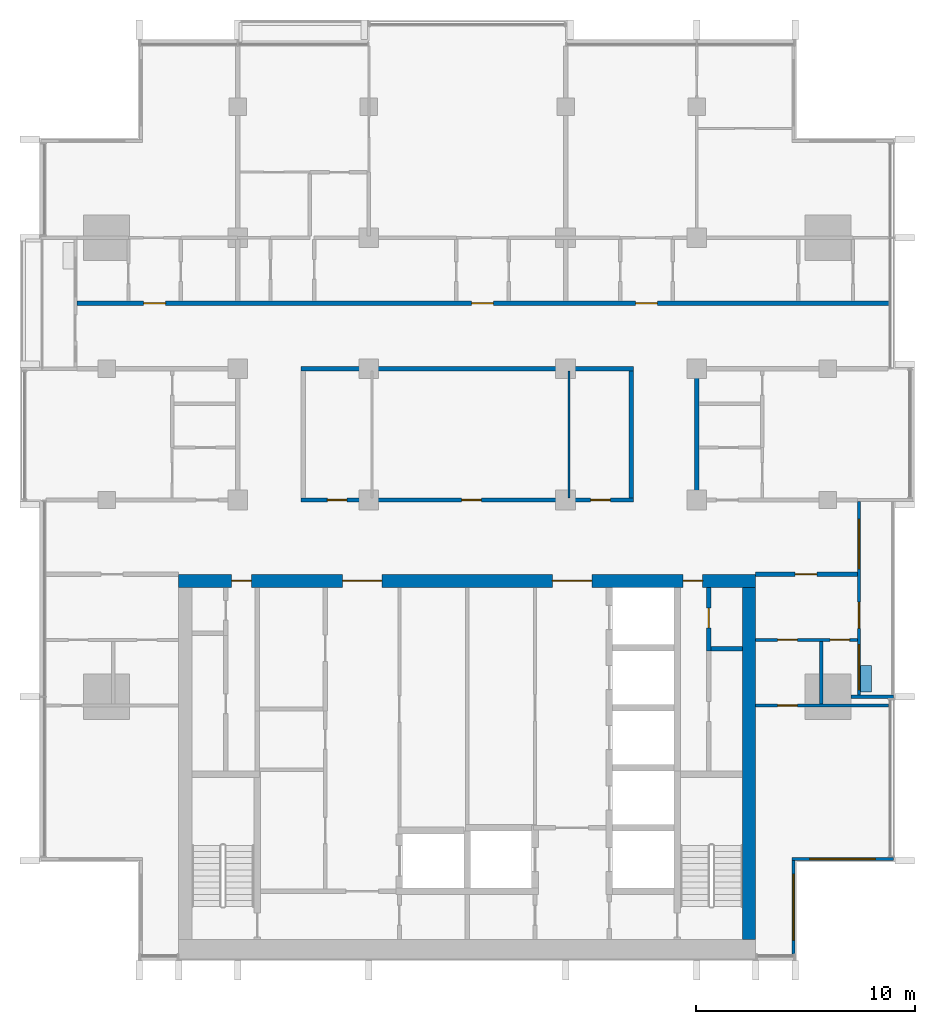
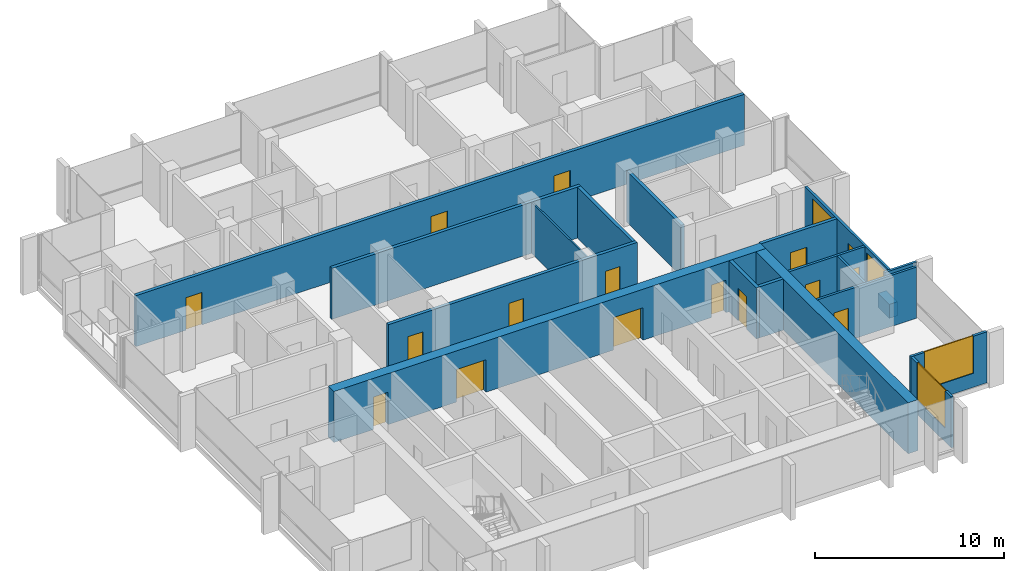
# One storey, part 9 of 16: 19 walls, 16 doors, 4 windows, 20 openings.
"""IFC4 building model written with IfcOpenShell, lengths in metres."""

from ifc_helpers import new_model, si_unit, direction, frame, frame_2d, origin, place, context, subcontext, project, spatial, rectangle, extrude, material, layer, layer_set, type_object, element, fill, save


model = new_model("IFC4")

# Units and contexts
model_context = context("Model", 3, precision=1e-05, world=origin(), true_north=direction((0.0, 1.0)))
body_context = subcontext(model_context, "Body", "Model", "MODEL_VIEW")
ifc_project = project(units=[si_unit("LENGTHUNIT", "METRE"), si_unit("AREAUNIT", "SQUARE_METRE"), si_unit("VOLUMEUNIT", "CUBIC_METRE"), si_unit("PLANEANGLEUNIT", "RADIAN"), si_unit("MASSUNIT", "GRAM", prefix="KILO")], contexts=[model_context])

# Site, building, storey
site_placement = place(None, origin())
site = spatial("IfcSite", under=ifc_project, at=site_placement, CompositionType="ELEMENT")
building_placement = place(site_placement, origin())
building = spatial("IfcBuilding", under=site, at=building_placement, Name="Finial Court Residences", CompositionType="ELEMENT")
storey_placement = place(building_placement, frame((0.0, 0.0, 223.10009765625)))
storey = spatial("IfcBuildingStorey", under=building, at=storey_placement, Name="L56", CompositionType="ELEMENT", Elevation=223.10009765625)

# Wall, openings, doors
ifc_material_1 = material(Name="Concrete C60/75", Category="concrete")
ifc_layer_1 = layer(ifc_material_1, 0.60009765625)
ifc_layer_set_1 = layer_set([ifc_layer_1], Name="Core outer wall 600 Concrete C60/75")
wall_type_1 = type_object("IfcWallType", Name="Core outer wall 600 Concrete C60/75", PredefinedType="SHEAR", material=ifc_layer_set_1)
wall_1_placement = place(storey_placement, frame((-13.199951171875, -8.199951171875, 0.0), z_axis=(0.0, 0.0, 1.0), x_axis=(1.0, 0.0, 0.0)))
wall_1 = element("IfcWall", 1, at=wall_1_placement, inside=storey, type_object=wall_type_1, Name="Core outer wall L56-02", PredefinedType="SHEAR", context=body_context, shape_type="SweptSolid", body=[
    extrude(rectangle(XDim=26.39990234375, YDim=0.60009765625, at=frame_2d((13.199951171875, 0.0))), origin(), (0.0, 0.0, 1.0), 3.2998046875),
])
opening_1_placement = place(wall_1_placement, frame((7.5, 0.0, 0.0)))
opening_1 = element("IfcOpeningElement", 2, at=opening_1_placement, cuts=wall_1, Name="Opening L56-C04", PredefinedType="OPENING", context=body_context, shape_type="SweptSolid", body=[
    extrude(rectangle(XDim=1.800048828125, YDim=2.10009765625, at=frame_2d((0.89990234375, 1.050048828125))), frame((0.0, 0.31005859375, 0.0), z_axis=(0.0, -1.0, 0.0), x_axis=(1.0, 0.0, 0.0)), (0.0, 0.0, 1.0), 0.6201171875),
])
opening_2_placement = place(wall_1_placement, frame((17.10009765625, 0.0, 0.0)))
opening_2 = element("IfcOpeningElement", 3, at=opening_2_placement, cuts=wall_1, Name="Opening L56-C05", PredefinedType="OPENING", context=body_context, shape_type="SweptSolid", body=[
    extrude(rectangle(XDim=1.800048828125, YDim=2.10009765625, at=frame_2d((0.89990234375, 1.050048828125))), frame((0.0, 0.31005859375, 0.0), z_axis=(0.0, -1.0, 0.0), x_axis=(1.0, 0.0, 0.0)), (0.0, 0.0, 1.0), 0.6201171875),
])
opening_3_placement = place(wall_1_placement, frame((2.425048828125, 0.0, 0.0)))
opening_3 = element("IfcOpeningElement", 4, at=opening_3_placement, cuts=wall_1, Name="Opening L56-C10", PredefinedType="OPENING", context=body_context, shape_type="SweptSolid", body=[
    extrude(rectangle(XDim=0.89990234375, YDim=2.10009765625, at=frame_2d((0.449951171875, 1.050048828125))), frame((0.0, 0.31005859375, 0.0), z_axis=(0.0, -1.0, 0.0), x_axis=(1.0, 0.0, 0.0)), (0.0, 0.0, 1.0), 0.6201171875),
])
opening_4_placement = place(wall_1_placement, frame((23.074951171875, 0.0, 0.0)))
opening_4 = element("IfcOpeningElement", 5, at=opening_4_placement, cuts=wall_1, Name="Opening L56-C11", PredefinedType="OPENING", context=body_context, shape_type="SweptSolid", body=[
    extrude(rectangle(XDim=0.89990234375, YDim=2.10009765625, at=frame_2d((0.449951171875, 1.050048828125))), frame((0.0, 0.31005859375, 0.0), z_axis=(0.0, -1.0, 0.0), x_axis=(1.0, 0.0, 0.0)), (0.0, 0.0, 1.0), 0.6201171875),
])
ifc_material_2 = material(Name="Steel fire door", Category="steel")
door_type_1 = type_object("IfcDoorType", Name="Lift lobby door 1800 x 2100 EI 60", OperationType="DOUBLE_DOOR_SINGLE_SWING", PredefinedType="DOOR", material=ifc_material_2)
door_1_placement = place(opening_1_placement, origin())
door_1 = element("IfcDoor", 6, at=door_1_placement, inside=storey, type_object=door_type_1, Name="Lift lobby door L56-C04", OperationType="DOUBLE_DOOR_SINGLE_SWING", OverallHeight=2.10009765625, OverallWidth=1.800048828125, PredefinedType="DOOR", context=body_context, shape_type="SweptSolid", body=[
    extrude(rectangle(XDim=1.800048828125, YDim=2.10009765625, at=frame_2d((0.89990234375, 1.050048828125))), frame((0.0, 0.02490234375, 0.0), z_axis=(0.0, -1.0, 0.0), x_axis=(1.0, 0.0, 0.0)), (0.0, 0.0, 1.0), 0.050048828125),
])
fill(opening_1, door_1)
door_2_placement = place(opening_2_placement, origin())
door_2 = element("IfcDoor", 7, at=door_2_placement, inside=storey, type_object=door_type_1, Name="Lift lobby door L56-C05", OperationType="DOUBLE_DOOR_SINGLE_SWING", OverallHeight=2.10009765625, OverallWidth=1.800048828125, PredefinedType="DOOR", context=body_context, shape_type="SweptSolid", body=[
    extrude(rectangle(XDim=1.800048828125, YDim=2.10009765625, at=frame_2d((0.89990234375, 1.050048828125))), frame((0.0, 0.02490234375, 0.0), z_axis=(0.0, -1.0, 0.0), x_axis=(1.0, 0.0, 0.0)), (0.0, 0.0, 1.0), 0.050048828125),
])
fill(opening_2, door_2)
door_type_2 = type_object("IfcDoorType", Name="Riser room door 900 x 2100 EI 90", OperationType="NOTDEFINED", PredefinedType="DOOR", material=ifc_material_2)
door_3_placement = place(opening_3_placement, origin())
door_3 = element("IfcDoor", 8, at=door_3_placement, inside=storey, type_object=door_type_2, Name="Riser room door L56-C10", OperationType="SINGLE_SWING_RIGHT", OverallHeight=2.10009765625, OverallWidth=0.89990234375, PredefinedType="DOOR", context=body_context, shape_type="SweptSolid", body=[
    extrude(rectangle(XDim=0.89990234375, YDim=2.10009765625, at=frame_2d((0.449951171875, 1.050048828125))), frame((0.0, 0.02490234375, 0.0), z_axis=(0.0, -1.0, 0.0), x_axis=(1.0, 0.0, 0.0)), (0.0, 0.0, 1.0), 0.050048828125),
])
fill(opening_3, door_3)
door_4_placement = place(opening_4_placement, origin())
door_4 = element("IfcDoor", 9, at=door_4_placement, inside=storey, type_object=door_type_2, Name="Riser room door L56-C11", OperationType="SINGLE_SWING_LEFT", OverallHeight=2.10009765625, OverallWidth=0.89990234375, PredefinedType="DOOR", context=body_context, shape_type="SweptSolid", body=[
    extrude(rectangle(XDim=0.89990234375, YDim=2.10009765625, at=frame_2d((0.449951171875, 1.050048828125))), frame((0.0, 0.02490234375, 0.0), z_axis=(0.0, -1.0, 0.0), x_axis=(1.0, 0.0, 0.0)), (0.0, 0.0, 1.0), 0.050048828125),
])
fill(opening_4, door_4)

# Wall
wall_2_placement = place(storey_placement, frame((12.89990234375, -24.60009765625, 0.0), z_axis=(0.0, 0.0, 1.0), x_axis=(0.0, 1.0, 0.0)))
element("IfcWall", 10, at=wall_2_placement, inside=storey, type_object=wall_type_1, Name="Core outer wall L56-04", PredefinedType="SHEAR", context=body_context, shape_type="SweptSolid", body=[
    extrude(rectangle(XDim=16.10009765625, YDim=0.60009765625, at=frame_2d((8.050048828125, 0.0))), origin(), (0.0, 0.0, 1.0), 3.2998046875),
])

# Wall, opening, door
ifc_material_3 = material(Name="Gypsum board")
ifc_layer_2 = layer(ifc_material_3, 0.02490234375)
ifc_material_4 = material(Name="Acoustic mineral wool in double frame")
ifc_layer_3 = layer(ifc_material_4, 0.14990234375)
ifc_layer_4 = layer(ifc_material_3, 0.02490234375)
ifc_layer_set_2 = layer_set([ifc_layer_2, ifc_layer_3, ifc_layer_4], Name="Corridor wall 200, 1 hour")
wall_type_2 = type_object("IfcWallType", Name="Corridor wall 200, 1 hour", PredefinedType="PARTITIONING", material=ifc_layer_set_2)
wall_3_placement = place(storey_placement, frame((13.199951171875, -7.89990234375, 0.0), z_axis=(0.0, 0.0, 1.0), x_axis=(1.0, 0.0, 0.0)))
wall_3 = element("IfcWall", 11, at=wall_3_placement, inside=storey, type_object=wall_type_2, Name="Partition L56-005", PredefinedType="PARTITIONING", context=body_context, shape_type="SweptSolid", body=[
    extrude(rectangle(XDim=4.650146484375, YDim=0.199951171875, at=frame_2d((2.3251953125, 0.0))), origin(), (0.0, 0.0, 1.0), 3.2998046875),
])
opening_5_placement = place(wall_3_placement, frame((1.800048828125, 0.0, 0.0)))
opening_5 = element("IfcOpeningElement", 12, at=opening_5_placement, cuts=wall_3, Name="Opening L56-D008", PredefinedType="OPENING", context=body_context, shape_type="SweptSolid", body=[
    extrude(rectangle(XDim=1.0, YDim=2.10009765625, at=frame_2d((0.5, 1.050048828125))), frame((0.0, 0.10986328125, 0.0), z_axis=(0.0, -1.0, 0.0), x_axis=(1.0, 0.0, 0.0)), (0.0, 0.0, 1.0), 0.219970703125),
])
ifc_material_5 = material(Name="Timber door leaf in hollow metal frame", Category="wood")
door_type_3 = type_object("IfcDoorType", Name="Fire door set 1000 x 2100, 30 minutes", OperationType="SINGLE_SWING_LEFT", PredefinedType="DOOR", material=ifc_material_5)
door_5_placement = place(opening_5_placement, origin())
door_5 = element("IfcDoor", 13, at=door_5_placement, inside=storey, type_object=door_type_3, Name="Door L56-D008", OperationType="SINGLE_SWING_RIGHT", OverallHeight=2.10009765625, OverallWidth=1.0, PredefinedType="DOOR", context=body_context, shape_type="SweptSolid", body=[
    extrude(rectangle(XDim=1.0, YDim=2.10009765625, at=frame_2d((0.5, 1.050048828125))), frame((0.0, 0.02490234375, 0.0), z_axis=(0.0, -1.0, 0.0), x_axis=(1.0, 0.0, 0.0)), (0.0, 0.0, 1.0), 0.050048828125),
])
fill(opening_5, door_5)

# Wall, openings, doors
wall_4_placement = place(storey_placement, frame((-7.60009765625, -4.5, 0.0), z_axis=(0.0, 0.0, 1.0), x_axis=(1.0, 0.0, 0.0)))
wall_4 = element("IfcWall", 14, at=wall_4_placement, inside=storey, type_object=wall_type_2, Name="Partition L56-007", PredefinedType="PARTITIONING", context=body_context, shape_type="SweptSolid", body=[
    extrude(rectangle(XDim=15.2001953125, YDim=0.199951171875, at=frame_2d((7.60009765625, 0.0))), origin(), (0.0, 0.0, 1.0), 3.2998046875),
])
opening_6_placement = place(wall_4_placement, frame((1.199951171875, 0.0, 0.0)))
opening_6 = element("IfcOpeningElement", 15, at=opening_6_placement, cuts=wall_4, Name="Opening L56-D010", PredefinedType="OPENING", context=body_context, shape_type="SweptSolid", body=[
    extrude(rectangle(XDim=0.89990234375, YDim=2.10009765625, at=frame_2d((0.449951171875, 1.050048828125))), frame((0.0, 0.10986328125, 0.0), z_axis=(0.0, -1.0, 0.0), x_axis=(1.0, 0.0, 0.0)), (0.0, 0.0, 1.0), 0.219970703125),
])
opening_7_placement = place(wall_4_placement, frame((7.35009765625, 0.0, 0.0)))
opening_7 = element("IfcOpeningElement", 16, at=opening_7_placement, cuts=wall_4, Name="Opening L56-D011", PredefinedType="OPENING", context=body_context, shape_type="SweptSolid", body=[
    extrude(rectangle(XDim=0.89990234375, YDim=2.10009765625, at=frame_2d((0.449951171875, 1.050048828125))), frame((0.0, 0.10986328125, 0.0), z_axis=(0.0, -1.0, 0.0), x_axis=(1.0, 0.0, 0.0)), (0.0, 0.0, 1.0), 0.219970703125),
])
opening_8_placement = place(wall_4_placement, frame((13.25, 0.0, 0.0)))
opening_8 = element("IfcOpeningElement", 17, at=opening_8_placement, cuts=wall_4, Name="Opening L56-D012", PredefinedType="OPENING", context=body_context, shape_type="SweptSolid", body=[
    extrude(rectangle(XDim=0.89990234375, YDim=2.10009765625, at=frame_2d((0.449951171875, 1.050048828125))), frame((0.0, 0.10986328125, 0.0), z_axis=(0.0, -1.0, 0.0), x_axis=(1.0, 0.0, 0.0)), (0.0, 0.0, 1.0), 0.219970703125),
])
door_type_4 = type_object("IfcDoorType", Name="Fire door set 900 x 2100, 30 minutes", OperationType="SINGLE_SWING_LEFT", PredefinedType="DOOR", material=ifc_material_5)
door_6_placement = place(opening_6_placement, origin())
door_6 = element("IfcDoor", 18, at=door_6_placement, inside=storey, type_object=door_type_4, Name="Door L56-D010", OperationType="SINGLE_SWING_RIGHT", OverallHeight=2.10009765625, OverallWidth=0.89990234375, PredefinedType="DOOR", context=body_context, shape_type="SweptSolid", body=[
    extrude(rectangle(XDim=0.89990234375, YDim=2.10009765625, at=frame_2d((0.449951171875, 1.050048828125))), frame((0.0, 0.02490234375, 0.0), z_axis=(0.0, -1.0, 0.0), x_axis=(1.0, 0.0, 0.0)), (0.0, 0.0, 1.0), 0.050048828125),
])
fill(opening_6, door_6)
door_7_placement = place(opening_7_placement, origin())
door_7 = element("IfcDoor", 19, at=door_7_placement, inside=storey, type_object=door_type_4, Name="Door L56-D011", OperationType="SINGLE_SWING_LEFT", OverallHeight=2.10009765625, OverallWidth=0.89990234375, PredefinedType="DOOR", context=body_context, shape_type="SweptSolid", body=[
    extrude(rectangle(XDim=0.89990234375, YDim=2.10009765625, at=frame_2d((0.449951171875, 1.050048828125))), frame((0.0, 0.02490234375, 0.0), z_axis=(0.0, -1.0, 0.0), x_axis=(1.0, 0.0, 0.0)), (0.0, 0.0, 1.0), 0.050048828125),
])
fill(opening_7, door_7)
door_8_placement = place(opening_8_placement, origin())
door_8 = element("IfcDoor", 20, at=door_8_placement, inside=storey, type_object=door_type_4, Name="Door L56-D012", OperationType="SINGLE_SWING_LEFT", OverallHeight=2.10009765625, OverallWidth=0.89990234375, PredefinedType="DOOR", context=body_context, shape_type="SweptSolid", body=[
    extrude(rectangle(XDim=0.89990234375, YDim=2.10009765625, at=frame_2d((0.449951171875, 1.050048828125))), frame((0.0, 0.02490234375, 0.0), z_axis=(0.0, -1.0, 0.0), x_axis=(1.0, 0.0, 0.0)), (0.0, 0.0, 1.0), 0.050048828125),
])
fill(opening_8, door_8)

# Wall
wall_5_placement = place(storey_placement, frame((-7.60009765625, 1.5, 0.0), z_axis=(0.0, 0.0, 1.0), x_axis=(1.0, 0.0, 0.0)))
element("IfcWall", 21, at=wall_5_placement, inside=storey, type_object=wall_type_2, Name="Partition L56-014", PredefinedType="PARTITIONING", context=body_context, shape_type="SweptSolid", body=[
    extrude(rectangle(XDim=15.2001953125, YDim=0.199951171875, at=frame_2d((7.60009765625, 0.0))), origin(), (0.0, 0.0, 1.0), 3.2998046875),
])

# Wall, openings, doors
wall_6_placement = place(storey_placement, frame((-17.85009765625, 4.5, 0.0), z_axis=(0.0, 0.0, 1.0), x_axis=(1.0, 0.0, 0.0)))
wall_6 = element("IfcWall", 22, at=wall_6_placement, inside=storey, type_object=wall_type_2, Name="Partition L56-016", PredefinedType="PARTITIONING", context=body_context, shape_type="SweptSolid", body=[
    extrude(rectangle(XDim=37.2001953125, YDim=0.199951171875, at=frame_2d((18.60009765625, 0.0))), origin(), (0.0, 0.0, 1.0), 3.2998046875),
])
opening_9_placement = place(wall_6_placement, frame((3.050048828125, 0.0, 0.0)))
opening_9 = element("IfcOpeningElement", 23, at=opening_9_placement, cuts=wall_6, Name="Opening L56-D016", PredefinedType="OPENING", context=body_context, shape_type="SweptSolid", body=[
    extrude(rectangle(XDim=1.0, YDim=2.10009765625, at=frame_2d((0.5, 1.050048828125))), frame((0.0, 0.10986328125, 0.0), z_axis=(0.0, -1.0, 0.0), x_axis=(1.0, 0.0, 0.0)), (0.0, 0.0, 1.0), 0.219970703125),
])
opening_10_placement = place(wall_6_placement, frame((18.050048828125, 0.0, 0.0)))
opening_10 = element("IfcOpeningElement", 24, at=opening_10_placement, cuts=wall_6, Name="Opening L56-D017", PredefinedType="OPENING", context=body_context, shape_type="SweptSolid", body=[
    extrude(rectangle(XDim=1.0, YDim=2.10009765625, at=frame_2d((0.5, 1.050048828125))), frame((0.0, 0.10986328125, 0.0), z_axis=(0.0, -1.0, 0.0), x_axis=(1.0, 0.0, 0.0)), (0.0, 0.0, 1.0), 0.219970703125),
])
opening_11_placement = place(wall_6_placement, frame((25.550048828125, 0.0, 0.0)))
opening_11 = element("IfcOpeningElement", 25, at=opening_11_placement, cuts=wall_6, Name="Opening L56-D018", PredefinedType="OPENING", context=body_context, shape_type="SweptSolid", body=[
    extrude(rectangle(XDim=1.0, YDim=2.10009765625, at=frame_2d((0.5, 1.050048828125))), frame((0.0, 0.10986328125, 0.0), z_axis=(0.0, -1.0, 0.0), x_axis=(1.0, 0.0, 0.0)), (0.0, 0.0, 1.0), 0.219970703125),
])
door_9_placement = place(opening_9_placement, origin())
door_9 = element("IfcDoor", 26, at=door_9_placement, inside=storey, type_object=door_type_3, Name="Door L56-D016", OperationType="SINGLE_SWING_RIGHT", OverallHeight=2.10009765625, OverallWidth=1.0, PredefinedType="DOOR", context=body_context, shape_type="SweptSolid", body=[
    extrude(rectangle(XDim=1.0, YDim=2.10009765625, at=frame_2d((0.5, 1.050048828125))), frame((0.0, 0.02490234375, 0.0), z_axis=(0.0, -1.0, 0.0), x_axis=(1.0, 0.0, 0.0)), (0.0, 0.0, 1.0), 0.050048828125),
])
fill(opening_9, door_9)
door_10_placement = place(opening_10_placement, origin())
door_10 = element("IfcDoor", 27, at=door_10_placement, inside=storey, type_object=door_type_3, Name="Door L56-D017", OperationType="SINGLE_SWING_RIGHT", OverallHeight=2.10009765625, OverallWidth=1.0, PredefinedType="DOOR", context=body_context, shape_type="SweptSolid", body=[
    extrude(rectangle(XDim=1.0, YDim=2.10009765625, at=frame_2d((0.5, 1.050048828125))), frame((0.0, 0.02490234375, 0.0), z_axis=(0.0, -1.0, 0.0), x_axis=(1.0, 0.0, 0.0)), (0.0, 0.0, 1.0), 0.050048828125),
])
fill(opening_10, door_10)
door_11_placement = place(opening_11_placement, origin())
door_11 = element("IfcDoor", 28, at=door_11_placement, inside=storey, type_object=door_type_3, Name="Door L56-D018", OperationType="SINGLE_SWING_LEFT", OverallHeight=2.10009765625, OverallWidth=1.0, PredefinedType="DOOR", context=body_context, shape_type="SweptSolid", body=[
    extrude(rectangle(XDim=1.0, YDim=2.10009765625, at=frame_2d((0.5, 1.050048828125))), frame((0.0, 0.02490234375, 0.0), z_axis=(0.0, -1.0, 0.0), x_axis=(1.0, 0.0, 0.0)), (0.0, 0.0, 1.0), 0.050048828125),
])
fill(opening_11, door_11)

# Walls
for number, where, z_axis, x_axis, name in (
    (29, (7.5, -4.39990234375, 0.0), (0.0, 0.0, 1.0), (0.0, 1.0, 0.0), "Partition L56-052"),
    (30, (10.5, -4.39990234375, 0.0), (0.0, 0.0, 1.0), (0.0, 1.0, 0.0), "Partition L56-054"),
):
    element("IfcWall", number, at=place(storey_placement, frame(where, z_axis=z_axis, x_axis=x_axis)), inside=storey, type_object=wall_type_2, Name=name, PredefinedType="PARTITIONING", context=body_context, shape_type="SweptSolid", body=[
        extrude(rectangle(XDim=5.7998046875, YDim=0.199951171875, at=frame_2d((2.89990234375, 0.0))), origin(), (0.0, 0.0, 1.0), 3.2998046875),
    ])
ifc_layer_5 = layer(ifc_material_3, 0.012451171875)
ifc_material_6 = material(Name="Mineral wool in light-gauge frame")
ifc_layer_6 = layer(ifc_material_6, 0.074951171875)
ifc_layer_7 = layer(ifc_material_3, 0.012451171875)
ifc_layer_set_3 = layer_set([ifc_layer_5, ifc_layer_6, ifc_layer_7], Name="Gypsum board partition 100")
wall_type_3 = type_object("IfcWallType", Name="Gypsum board partition 100", PredefinedType="PARTITIONING", material=ifc_layer_set_3)
wall_7_placement = place(storey_placement, frame((4.64990234375, -4.39990234375, 0.0), z_axis=(0.0, 0.0, 1.0), x_axis=(0.0, 1.0, 0.0)))
element("IfcWall", 31, at=wall_7_placement, inside=storey, type_object=wall_type_3, Name="Partition L56-050", PredefinedType="PARTITIONING", context=body_context, shape_type="SweptSolid", body=[
    extrude(rectangle(XDim=5.7998046875, YDim=0.10009765625, at=frame_2d((2.89990234375, 0.0))), origin(), (0.0, 0.0, 1.0), 3.2998046875),
])

# Wall, opening, door
ifc_material_7 = material(Name="Moisture-resistant gypsum board")
ifc_layer_8 = layer(ifc_material_7, 0.012451171875)
ifc_layer_9 = layer(ifc_material_6, 0.125)
ifc_layer_10 = layer(ifc_material_7, 0.012451171875)
ifc_layer_set_4 = layer_set([ifc_layer_8, ifc_layer_9, ifc_layer_10], Name="Gypsum board wet-area partition 150")
wall_type_4 = type_object("IfcWallType", Name="Gypsum board wet-area partition 150", PredefinedType="PARTITIONING", material=ifc_layer_set_4)
wall_8_placement = place(storey_placement, frame((13.199951171875, -13.89990234375, 0.0), z_axis=(0.0, 0.0, 1.0), x_axis=(1.0, 0.0, 0.0)))
wall_8 = element("IfcWall", 32, at=wall_8_placement, inside=storey, type_object=wall_type_4, Name="Partition L56-001", PredefinedType="PARTITIONING", context=body_context, shape_type="SweptSolid", body=[
    extrude(rectangle(XDim=6.0625, YDim=0.14990234375, at=frame_2d((3.03125, 0.0))), origin(), (0.0, 0.0, 1.0), 3.2998046875),
])
opening_12_placement = place(wall_8_placement, frame((1.0, 0.0, 0.0)))
opening_12 = element("IfcOpeningElement", 33, at=opening_12_placement, cuts=wall_8, Name="Opening L56-D002", PredefinedType="OPENING", context=body_context, shape_type="SweptSolid", body=[
    extrude(rectangle(XDim=0.89990234375, YDim=2.10009765625, at=frame_2d((0.449951171875, 1.050048828125))), frame((0.0, 0.0849609375, 0.0), z_axis=(0.0, -1.0, 0.0), x_axis=(1.0, 0.0, 0.0)), (0.0, 0.0, 1.0), 0.169921875),
])
ifc_material_8 = material(Name="Timber door leaf in timber frame", Category="wood")
door_type_5 = type_object("IfcDoorType", Name="Door set 900 x 2100", OperationType="SINGLE_SWING_LEFT", PredefinedType="DOOR", material=ifc_material_8)
door_12_placement = place(opening_12_placement, origin())
door_12 = element("IfcDoor", 34, at=door_12_placement, inside=storey, type_object=door_type_5, Name="Door L56-D002", OperationType="SINGLE_SWING_LEFT", OverallHeight=2.10009765625, OverallWidth=0.89990234375, PredefinedType="DOOR", context=body_context, shape_type="SweptSolid", body=[
    extrude(rectangle(XDim=0.89990234375, YDim=2.10009765625, at=frame_2d((0.449951171875, 1.050048828125))), frame((0.0, 0.02490234375, 0.0), z_axis=(0.0, -1.0, 0.0), x_axis=(1.0, 0.0, 0.0)), (0.0, 0.0, 1.0), 0.050048828125),
])
fill(opening_12, door_12)

# Wall, openings, doors
wall_9_placement = place(storey_placement, frame((13.199951171875, -10.89990234375, 0.0), z_axis=(0.0, 0.0, 1.0), x_axis=(1.0, 0.0, 0.0)))
wall_9 = element("IfcWall", 35, at=wall_9_placement, inside=storey, type_object=wall_type_4, Name="Partition L56-003", PredefinedType="PARTITIONING", context=body_context, shape_type="SweptSolid", body=[
    extrude(rectangle(XDim=4.650146484375, YDim=0.14990234375, at=frame_2d((2.3251953125, 0.0))), origin(), (0.0, 0.0, 1.0), 3.2998046875),
])
opening_13_placement = place(wall_9_placement, frame((1.0, 0.0, 0.0)))
opening_13 = element("IfcOpeningElement", 36, at=opening_13_placement, cuts=wall_9, Name="Opening L56-D005", PredefinedType="OPENING", context=body_context, shape_type="SweptSolid", body=[
    extrude(rectangle(XDim=0.89990234375, YDim=2.10009765625, at=frame_2d((0.449951171875, 1.050048828125))), frame((0.0, 0.0849609375, 0.0), z_axis=(0.0, -1.0, 0.0), x_axis=(1.0, 0.0, 0.0)), (0.0, 0.0, 1.0), 0.169921875),
])
opening_14_placement = place(wall_9_placement, frame((3.39990234375, 0.0, 0.0)))
opening_14 = element("IfcOpeningElement", 37, at=opening_14_placement, cuts=wall_9, Name="Opening L56-D006", PredefinedType="OPENING", context=body_context, shape_type="SweptSolid", body=[
    extrude(rectangle(XDim=0.89990234375, YDim=2.10009765625, at=frame_2d((0.449951171875, 1.050048828125))), frame((0.0, 0.0849609375, 0.0), z_axis=(0.0, -1.0, 0.0), x_axis=(1.0, 0.0, 0.0)), (0.0, 0.0, 1.0), 0.169921875),
])
door_13_placement = place(opening_13_placement, origin())
door_13 = element("IfcDoor", 38, at=door_13_placement, inside=storey, type_object=door_type_5, Name="Door L56-D005", OperationType="SINGLE_SWING_LEFT", OverallHeight=2.10009765625, OverallWidth=0.89990234375, PredefinedType="DOOR", context=body_context, shape_type="SweptSolid", body=[
    extrude(rectangle(XDim=0.89990234375, YDim=2.10009765625, at=frame_2d((0.449951171875, 1.050048828125))), frame((0.0, 0.02490234375, 0.0), z_axis=(0.0, -1.0, 0.0), x_axis=(1.0, 0.0, 0.0)), (0.0, 0.0, 1.0), 0.050048828125),
])
fill(opening_13, door_13)
door_14_placement = place(opening_14_placement, origin())
door_14 = element("IfcDoor", 39, at=door_14_placement, inside=storey, type_object=door_type_5, Name="Door L56-D006", OperationType="SINGLE_SWING_RIGHT", OverallHeight=2.10009765625, OverallWidth=0.89990234375, PredefinedType="DOOR", context=body_context, shape_type="SweptSolid", body=[
    extrude(rectangle(XDim=0.89990234375, YDim=2.10009765625, at=frame_2d((0.449951171875, 1.050048828125))), frame((0.0, 0.02490234375, 0.0), z_axis=(0.0, -1.0, 0.0), x_axis=(1.0, 0.0, 0.0)), (0.0, 0.0, 1.0), 0.050048828125),
])
fill(opening_14, door_14)

# Wall
wall_10_placement = place(storey_placement, frame((16.199951171875, -13.824951171875, 0.0), z_axis=(0.0, 0.0, 1.0), x_axis=(0.0, 1.0, 0.0)))
element("IfcWall", 40, at=wall_10_placement, inside=storey, type_object=wall_type_4, Name="Partition L56-059", PredefinedType="PARTITIONING", context=body_context, shape_type="SweptSolid", body=[
    extrude(rectangle(XDim=2.849853515625, YDim=0.14990234375, at=frame_2d((1.4248046875, 0.0))), origin(), (0.0, 0.0, 1.0), 3.2998046875),
])

# Wall, opening, window
ifc_material_9 = material(Name="Natural limestone", Category="masonry")
ifc_layer_11 = layer(ifc_material_9, 0.14990234375)
ifc_layer_set_5 = layer_set([ifc_layer_11], Name="Limestone clad wall 150")
wall_type_5 = type_object("IfcWallType", Name="Limestone clad wall 150", PredefinedType="SOLIDWALL", material=ifc_layer_set_5)
wall_11_placement = place(storey_placement, frame((14.925048828125, -21.0, 0.0), z_axis=(0.0, 0.0, 1.0), x_axis=(0.0, -1.0, 0.0)))
wall_11 = element("IfcWall", 41, at=wall_11_placement, inside=storey, type_object=wall_type_5, Name="E-L56-NWE14", PredefinedType="SOLIDWALL", context=body_context, shape_type="SweptSolid", body=[
    extrude(rectangle(XDim=4.262451171875, YDim=0.14990234375, at=frame_2d((2.13134765625, 0.0))), origin(), (0.0, 0.0, 1.0), 3.2998046875),
])
opening_15_placement = place(wall_11_placement, frame((0.63134765625, 0.0, 0.89990234375)))
opening_15 = element("IfcOpeningElement", 42, at=opening_15_placement, cuts=wall_11, Name="Opening WE56-03", PredefinedType="OPENING", context=body_context, shape_type="SweptSolid", body=[
    extrude(rectangle(XDim=3.0, YDim=2.39990234375, at=frame_2d((1.5, 1.199951171875))), frame((0.0, 0.0849609375, 0.0), z_axis=(0.0, -1.0, 0.0), x_axis=(1.0, 0.0, 0.0)), (0.0, 0.0, 1.0), 0.169921875),
])
ifc_material_10 = material(Name="Clear low-e glass", Category="glass")
window_type_1 = type_object("IfcWindowType", Name="Corner window 3000 x 2400", PartitioningType="SINGLE_PANEL", PredefinedType="WINDOW", material=ifc_material_10)
window_1_placement = place(opening_15_placement, origin())
window_1 = element("IfcWindow", 43, at=window_1_placement, inside=storey, type_object=window_type_1, Name="E-L56-NWE14-W1", OverallHeight=2.39990234375, OverallWidth=3.0, PartitioningType="SINGLE_PANEL", PredefinedType="WINDOW", context=body_context, shape_type="SweptSolid", body=[
    extrude(rectangle(XDim=3.0, YDim=2.39990234375, at=frame_2d((1.5, 1.199951171875))), frame((0.0, 0.030029296875, 0.0), z_axis=(0.0, -1.0, 0.0), x_axis=(1.0, 0.0, 0.0)), (0.0, 0.0, 1.0), 0.06005859375),
])
fill(opening_15, window_1)

wall_12_placement = place(storey_placement, frame((19.5, -20.925048828125, 0.0), z_axis=(0.0, 0.0, 1.0), x_axis=(-1.0, 0.0, 0.0)))
wall_12 = element("IfcWall", 44, at=wall_12_placement, inside=storey, type_object=wall_type_5, Name="E-L56-NWS15", PredefinedType="SOLIDWALL", context=body_context, shape_type="SweptSolid", body=[
    extrude(rectangle(XDim=4.64990234375, YDim=0.14990234375, at=frame_2d((2.324951171875, 0.0))), origin(), (0.0, 0.0, 1.0), 3.2998046875),
])
opening_16_placement = place(wall_12_placement, frame((0.824951171875, 0.0, 0.89990234375)))
opening_16 = element("IfcOpeningElement", 45, at=opening_16_placement, cuts=wall_12, Name="Opening WE56-04", PredefinedType="OPENING", context=body_context, shape_type="SweptSolid", body=[
    extrude(rectangle(XDim=3.0, YDim=2.39990234375, at=frame_2d((1.5, 1.199951171875))), frame((0.0, 0.0849609375, 0.0), z_axis=(0.0, -1.0, 0.0), x_axis=(1.0, 0.0, 0.0)), (0.0, 0.0, 1.0), 0.169921875),
])
window_2_placement = place(opening_16_placement, origin())
window_2 = element("IfcWindow", 46, at=window_2_placement, inside=storey, type_object=window_type_1, Name="E-L56-NWS15-W1", OverallHeight=2.39990234375, OverallWidth=3.0, PartitioningType="SINGLE_PANEL", PredefinedType="WINDOW", context=body_context, shape_type="SweptSolid", body=[
    extrude(rectangle(XDim=3.0, YDim=2.39990234375, at=frame_2d((1.5, 1.199951171875))), frame((0.0, 0.030029296875, 0.0), z_axis=(0.0, -1.0, 0.0), x_axis=(1.0, 0.0, 0.0)), (0.0, 0.0, 1.0), 0.06005859375),
])
fill(opening_16, window_2)

# Wall
wall_13_placement = place(storey_placement, frame((17.550048828125, -13.5, 0.0), z_axis=(0.0, 0.0, 1.0), x_axis=(1.0, 0.0, 0.0)))
element("IfcWall", 47, at=wall_13_placement, inside=storey, type_object=wall_type_5, Name="E-L56-BALE2-P1", PredefinedType="SOLIDWALL", context=body_context, shape_type="SweptSolid", body=[
    extrude(rectangle(XDim=1.949951171875, YDim=0.14990234375, at=frame_2d((0.97509765625, 0.0))), origin(), (0.0, 0.0, 1.0), 3.2998046875),
])

# Wall, openings, door, windows
wall_14_placement = place(storey_placement, frame((17.925048828125, -4.574951171875, 0.0), z_axis=(0.0, 0.0, 1.0), x_axis=(0.0, -1.0, 0.0)))
wall_14 = element("IfcWall", 48, at=wall_14_placement, inside=storey, type_object=wall_type_5, Name="E-L56-L56-BALE2-W", PredefinedType="SOLIDWALL", context=body_context, shape_type="SweptSolid", body=[
    extrude(rectangle(XDim=8.85009765625, YDim=0.14990234375, at=frame_2d((4.425048828125, 0.0))), origin(), (0.0, 0.0, 1.0), 3.2998046875),
])
opening_17_placement = place(wall_14_placement, frame((4.60009765625, 0.0, 0.0)))
opening_17 = element("IfcOpeningElement", 49, at=opening_17_placement, cuts=wall_14, Name="Opening DE56-01", PredefinedType="OPENING", context=body_context, shape_type="SweptSolid", body=[
    extrude(rectangle(XDim=1.199951171875, YDim=2.39990234375, at=frame_2d((0.60009765625, 1.199951171875))), frame((0.0, 0.0849609375, 0.0), z_axis=(0.0, -1.0, 0.0), x_axis=(1.0, 0.0, 0.0)), (0.0, 0.0, 1.0), 0.169921875),
])
opening_18_placement = place(wall_14_placement, frame((6.550048828125, 0.0, 0.89990234375)))
opening_18 = element("IfcOpeningElement", 50, at=opening_18_placement, cuts=wall_14, Name="Opening WE56-09", PredefinedType="OPENING", context=body_context, shape_type="SweptSolid", body=[
    extrude(rectangle(XDim=2.050048828125, YDim=2.10009765625, at=frame_2d((1.02490234375, 1.050048828125))), frame((0.0, 0.0849609375, 0.0), z_axis=(0.0, -1.0, 0.0), x_axis=(1.0, 0.0, 0.0)), (0.0, 0.0, 1.0), 0.169921875),
])
opening_19_placement = place(wall_14_placement, frame((0.800048828125, 0.0, 0.89990234375)))
opening_19 = element("IfcOpeningElement", 51, at=opening_19_placement, cuts=wall_14, Name="Opening WE56-10", PredefinedType="OPENING", context=body_context, shape_type="SweptSolid", body=[
    extrude(rectangle(XDim=2.27490234375, YDim=2.10009765625, at=frame_2d((1.137451171875, 1.050048828125))), frame((0.0, 0.0849609375, 0.0), z_axis=(0.0, -1.0, 0.0), x_axis=(1.0, 0.0, 0.0)), (0.0, 0.0, 1.0), 0.169921875),
])
ifc_material_11 = material(Name="Bronze anodised aluminium", Category="aluminium")
door_type_6 = type_object("IfcDoorType", Name="Balcony door 1200 x 2400", OperationType="SINGLE_SWING_LEFT", PredefinedType="DOOR", material=ifc_material_11)
door_15_placement = place(opening_17_placement, origin())
door_15 = element("IfcDoor", 52, at=door_15_placement, inside=storey, type_object=door_type_6, Name="E-L56-L56-BALE2-W-D", OperationType="SINGLE_SWING_LEFT", OverallHeight=2.39990234375, OverallWidth=1.199951171875, PredefinedType="DOOR", context=body_context, shape_type="SweptSolid", body=[
    extrude(rectangle(XDim=1.199951171875, YDim=2.39990234375, at=frame_2d((0.60009765625, 1.199951171875))), frame((0.0, 0.02490234375, 0.0), z_axis=(0.0, -1.0, 0.0), x_axis=(1.0, 0.0, 0.0)), (0.0, 0.0, 1.0), 0.050048828125),
])
fill(opening_17, door_15)
window_type_2 = type_object("IfcWindowType", Name="Balcony window 2050 x 2100", PartitioningType="SINGLE_PANEL", PredefinedType="WINDOW", material=ifc_material_10)
window_3_placement = place(opening_18_placement, origin())
window_3 = element("IfcWindow", 53, at=window_3_placement, inside=storey, type_object=window_type_2, Name="E-L56-L56-BALE2-W-W1", OverallHeight=2.10009765625, OverallWidth=2.050048828125, PartitioningType="SINGLE_PANEL", PredefinedType="WINDOW", context=body_context, shape_type="SweptSolid", body=[
    extrude(rectangle(XDim=2.050048828125, YDim=2.10009765625, at=frame_2d((1.02490234375, 1.050048828125))), frame((0.0, 0.030029296875, 0.0), z_axis=(0.0, -1.0, 0.0), x_axis=(1.0, 0.0, 0.0)), (0.0, 0.0, 1.0), 0.06005859375),
])
fill(opening_18, window_3)
window_type_3 = type_object("IfcWindowType", Name="Balcony window 2275 x 2100", PartitioningType="SINGLE_PANEL", PredefinedType="WINDOW", material=ifc_material_10)
window_4_placement = place(opening_19_placement, origin())
window_4 = element("IfcWindow", 54, at=window_4_placement, inside=storey, type_object=window_type_3, Name="E-L56-L56-BALE2-W-W2", OverallHeight=2.10009765625, OverallWidth=2.27490234375, PartitioningType="SINGLE_PANEL", PredefinedType="WINDOW", context=body_context, shape_type="SweptSolid", body=[
    extrude(rectangle(XDim=2.27490234375, YDim=2.10009765625, at=frame_2d((1.137451171875, 1.050048828125))), frame((0.0, 0.030029296875, 0.0), z_axis=(0.0, -1.0, 0.0), x_axis=(1.0, 0.0, 0.0)), (0.0, 0.0, 1.0), 0.06005859375),
])
fill(opening_19, window_4)

# Walls
ifc_material_12 = material(Name="Concrete C40/50", Category="concrete")
ifc_layer_12 = layer(ifc_material_12, 0.10009765625)
ifc_material_13 = material(Name="Planting soil", Category="soil")
ifc_layer_13 = layer(ifc_material_13, 0.300048828125)
ifc_layer_14 = layer(ifc_material_12, 0.10009765625)
ifc_layer_set_6 = layer_set([ifc_layer_12, ifc_layer_13, ifc_layer_14], Name="Planter wall, balcony")
wall_type_6 = type_object("IfcWallType", Name="Planter wall, balcony", PredefinedType="USERDEFINED", material=ifc_layer_set_6)
wall_15_placement = place(storey_placement, frame((18.25, -13.27490234375, 0.0), z_axis=(0.0, 0.0, 1.0), x_axis=(0.0, 1.0, 0.0)))
element("IfcWall", 55, at=wall_15_placement, inside=storey, type_object=wall_type_6, Name="E-L56-BALE2-PL", ObjectType="PLANTER", PredefinedType="USERDEFINED", context=body_context, shape_type="SweptSolid", body=[
    extrude(rectangle(XDim=1.199951171875, YDim=0.5, at=frame_2d((0.60009765625, 0.0))), origin(), (0.0, 0.0, 1.0), 0.89990234375),
])
ifc_material_14 = material(Name="Fire-rated gypsum board partition")
ifc_layer_15 = layer(ifc_material_14, 0.199951171875)
ifc_layer_set_7 = layer_set([ifc_layer_15], Name="Riser room wall 200 EI 120")
wall_type_7 = type_object("IfcWallType", Name="Riser room wall 200 EI 120", PredefinedType="PARTITIONING", material=ifc_layer_set_7)
wall_16_placement = place(storey_placement, frame((11.14990234375, -11.300048828125, 0.0), z_axis=(0.0, 0.0, 1.0), x_axis=(1.0, 0.0, 0.0)))
element("IfcWall", 56, at=wall_16_placement, inside=storey, type_object=wall_type_7, Name="Core partition L56-14", PredefinedType="PARTITIONING", context=body_context, shape_type="SweptSolid", body=[
    extrude(rectangle(XDim=1.4501953125, YDim=0.199951171875, at=frame_2d((0.72509765625, 0.0))), origin(), (0.0, 0.0, 1.0), 3.2998046875),
])

# Wall, opening, door
wall_17_placement = place(storey_placement, frame((11.050048828125, -8.5, 0.0), z_axis=(0.0, 0.0, 1.0), x_axis=(0.0, -1.0, 0.0)))
wall_17 = element("IfcWall", 57, at=wall_17_placement, inside=storey, type_object=wall_type_7, Name="Core partition L56-38", PredefinedType="PARTITIONING", context=body_context, shape_type="SweptSolid", body=[
    extrude(rectangle(XDim=2.89990234375, YDim=0.199951171875, at=frame_2d((1.449951171875, 0.0))), origin(), (0.0, 0.0, 1.0), 3.2998046875),
])
opening_20_placement = place(wall_17_placement, frame((0.949951171875, 0.0, 0.0)))
opening_20 = element("IfcOpeningElement", 58, at=opening_20_placement, cuts=wall_17, Name="Opening L56-C08", PredefinedType="OPENING", context=body_context, shape_type="SweptSolid", body=[
    extrude(rectangle(XDim=0.89990234375, YDim=2.10009765625, at=frame_2d((0.449951171875, 1.050048828125))), frame((0.0, 0.10986328125, 0.0), z_axis=(0.0, -1.0, 0.0), x_axis=(1.0, 0.0, 0.0)), (0.0, 0.0, 1.0), 0.219970703125),
])
door_16_placement = place(opening_20_placement, origin())
door_16 = element("IfcDoor", 59, at=door_16_placement, inside=storey, type_object=door_type_2, Name="Riser room door L56-C08", OperationType="SINGLE_SWING_RIGHT", OverallHeight=2.10009765625, OverallWidth=0.89990234375, PredefinedType="DOOR", context=body_context, shape_type="SweptSolid", body=[
    extrude(rectangle(XDim=0.89990234375, YDim=2.10009765625, at=frame_2d((0.449951171875, 1.050048828125))), frame((0.0, 0.02490234375, 0.0), z_axis=(0.0, -1.0, 0.0), x_axis=(1.0, 0.0, 0.0)), (0.0, 0.0, 1.0), 0.050048828125),
])
fill(opening_20, door_16)

save(model, "model.ifc")
